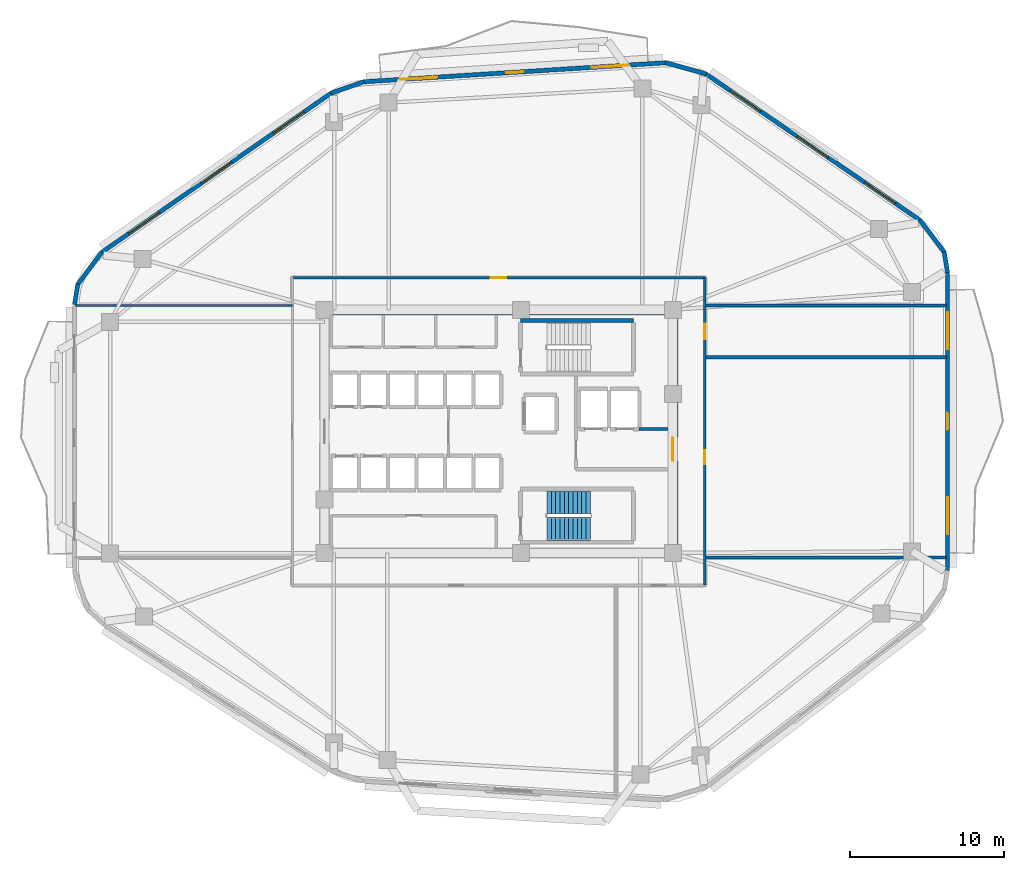
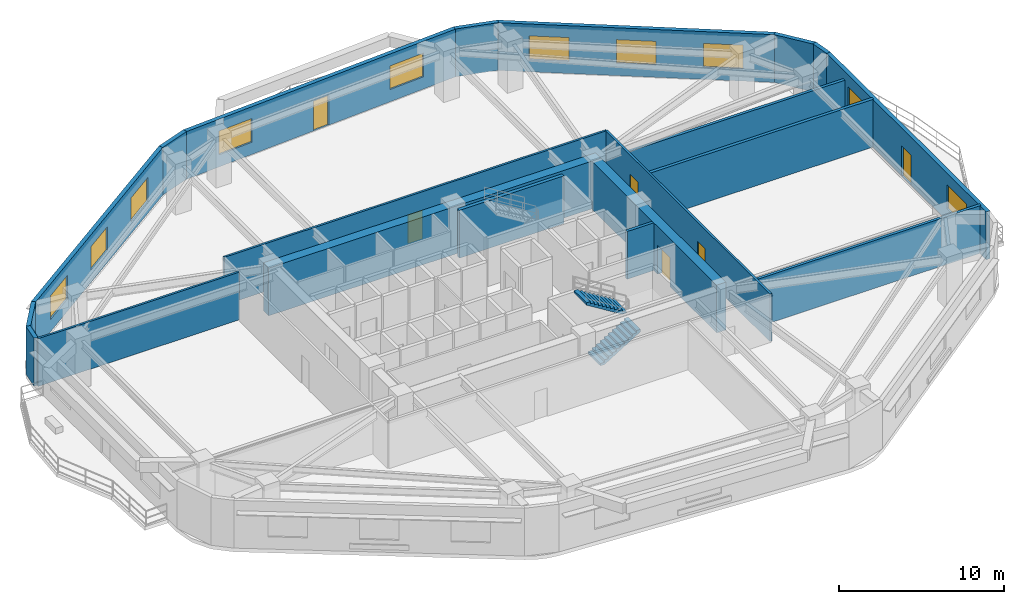
# One storey, part 5 of 9: 20 walls, 10 windows, 6 doors, 2 stair flights, 16 openings, 1 element without a shape of its own.
"""IFC4 building model written with IfcOpenShell, lengths in metres."""

from ifc_helpers import new_model, si_unit, direction, frame, frame_2d, origin, place, context, subcontext, project, spatial, polyline, rectangle, outline, extrude, material, layer, layer_set, type_object, element, fill, aggregate, save


model = new_model("IFC4")

# Units and contexts
model_context = context("Model", 3, precision=1e-05, world=origin(), true_north=direction((0.0, 1.0)))
body_context = subcontext(model_context, "Body", "Model", "MODEL_VIEW")
ifc_project = project(units=[si_unit("LENGTHUNIT", "METRE"), si_unit("AREAUNIT", "SQUARE_METRE"), si_unit("VOLUMEUNIT", "CUBIC_METRE"), si_unit("PLANEANGLEUNIT", "RADIAN"), si_unit("MASSUNIT", "GRAM", prefix="KILO")], contexts=[model_context])

# Site, building, storey
site_placement = place(None, origin())
site = spatial("IfcSite", under=ifc_project, at=site_placement, CompositionType="ELEMENT")
building_placement = place(site_placement, origin())
building = spatial("IfcBuilding", under=site, at=building_placement, Name="Zulverin Broadcast Headquarters", CompositionType="ELEMENT")
storey_placement = place(building_placement, frame((0.0, 0.0, 104.800048828125)))
storey = spatial("IfcBuildingStorey", under=building, at=storey_placement, Name="L26", CompositionType="ELEMENT", Elevation=104.800048828125)

# Walls
ifc_material_1 = material(Name="Acoustic drywall steel stud", Category="steel")
ifc_layer_1 = layer(ifc_material_1, 0.199951171875, Name="Acoustic drywall steel stud", Category="steel")
ifc_layer_set_1 = layer_set([ifc_layer_1], Name="Acoustic drywall steel stud")
wall_type_1 = type_object("IfcWallType", Name="WL-ACOU-200", PredefinedType="PARTITIONING", material=ifc_layer_set_1)
wall_1_placement = place(storey_placement, frame((50.35009765625, 17.050048828125, 0.0), z_axis=(0.0, 0.0, 1.0), x_axis=(1.0, 0.0, 0.0)))
element("IfcWall", 1, at=wall_1_placement, inside=storey, type_object=wall_type_1, Name="L26 Room Partition Wall RP-06", PredefinedType="PARTITIONING", context=body_context, shape_type="SweptSolid", body=[
    extrude(rectangle(XDim=15.64501953125, YDim=0.199951171875, at=frame_2d((7.822509765625, 0.0))), origin(), (0.0, 0.0, 1.0), 3.52490234375),
])
wall_2_placement = place(storey_placement, frame((50.35009765625, 33.35009765625, 0.0), z_axis=(0.0, 0.0, 1.0), x_axis=(1.0, 0.0, 0.0)))
element("IfcWall", 2, at=wall_2_placement, inside=storey, type_object=wall_type_1, Name="L26 Room Partition Wall RP-09", PredefinedType="PARTITIONING", context=body_context, shape_type="SweptSolid", body=[
    extrude(rectangle(XDim=15.64501953125, YDim=0.199951171875, at=frame_2d((7.822509765625, 0.0))), origin(), (0.0, 0.0, 1.0), 2.90771484375),
])
ifc_material_2 = material(Name="Double-stud acoustic drywall", Category="gypsum")
ifc_layer_2 = layer(ifc_material_2, 0.219970703125, Name="Double-stud acoustic drywall", Category="gypsum")
ifc_layer_set_2 = layer_set([ifc_layer_2], Name="Double-stud acoustic drywall")
wall_type_2 = type_object("IfcWallType", Name="WL-ACOU-220", PredefinedType="PARTITIONING", material=ifc_layer_set_2)
wall_3_placement = place(storey_placement, frame((50.35009765625, 30.0, 0.0), z_axis=(0.0, 0.0, 1.0), x_axis=(1.0, 0.0, 0.0)))
element("IfcWall", 3, at=wall_3_placement, inside=storey, type_object=wall_type_2, Name="L26 Room Partition Wall RP-07", PredefinedType="PARTITIONING", context=body_context, shape_type="SweptSolid", body=[
    extrude(rectangle(XDim=15.64501953125, YDim=0.219970703125, at=frame_2d((7.822509765625, 0.0))), origin(), (0.0, 0.0, 1.0), 3.52490234375),
])
ifc_material_3 = material(Name="Concrete C60/75", Category="concrete")
ifc_layer_3 = layer(ifc_material_3, 0.64990234375, Name="Concrete C60/75", Category="concrete")
ifc_layer_set_3 = layer_set([ifc_layer_3], Name="Concrete C60/75")
wall_type_3 = type_object("IfcWallType", Name="WL-CORE-650", PredefinedType="SHEAR", material=ifc_layer_set_3)
wall_4_placement = place(storey_placement, frame((25.39990234375, 33.074951171875, 0.0), z_axis=(0.0, 0.0, 1.0), x_axis=(1.0, 0.0, 0.0)))
element("IfcWall", 4, at=wall_4_placement, inside=storey, type_object=wall_type_3, Name="L26 Core North Shear Wall", PredefinedType="SHEAR", context=body_context, shape_type="SweptSolid", body=[
    extrude(rectangle(XDim=23.2001953125, YDim=0.64990234375, at=frame_2d((11.60009765625, 0.0))), origin(), (0.0, 0.0, 1.0), 3.52490234375),
])

# Wall, opening, door
wall_5_placement = place(storey_placement, frame((48.27490234375, 17.64990234375, 0.0), z_axis=(0.0, 0.0, 1.0), x_axis=(0.0, 1.0, 0.0)))
wall_5 = element("IfcWall", 5, at=wall_5_placement, inside=storey, type_object=wall_type_3, Name="L26 Core East Shear Wall", PredefinedType="SHEAR", context=body_context, shape_type="SweptSolid", body=[
    extrude(rectangle(XDim=15.10009765625, YDim=0.64990234375, at=frame_2d((7.550048828125, 0.0))), origin(), (0.0, 0.0, 1.0), 3.52490234375),
])
opening_1_placement = place(wall_5_placement, frame((5.64990234375, 0.0, 0.0)))
opening_1 = element("IfcOpeningElement", 6, at=opening_1_placement, cuts=wall_5, Name="Opening D-L26-CE1", PredefinedType="OPENING", context=body_context, shape_type="SweptSolid", body=[
    extrude(rectangle(XDim=1.5, YDim=2.14990234375, at=frame_2d((0.75, 1.074951171875))), frame((0.0, 0.3349609375, 0.0), z_axis=(0.0, -1.0, 0.0), x_axis=(1.0, 0.0, 0.0)), (0.0, 0.0, 1.0), 0.669921875),
])
ifc_material_4 = material(Name="Fire-rated glazed steel frame", Category="steel")
door_type_1 = type_object("IfcDoorType", Name="DR-COR-1500", OperationType="DOUBLE_DOOR_SINGLE_SWING", PredefinedType="DOOR", material=ifc_material_4)
door_1_placement = place(opening_1_placement, origin())
door_1 = element("IfcDoor", 7, at=door_1_placement, inside=storey, type_object=door_type_1, Name="L26 Firefighting Lobby East Corridor Door", OperationType="DOUBLE_DOOR_SINGLE_SWING", OverallHeight=2.14990234375, OverallWidth=1.5, PredefinedType="DOOR", context=body_context, shape_type="SweptSolid", body=[
    extrude(rectangle(XDim=1.5, YDim=2.14990234375, at=frame_2d((0.75, 1.074951171875))), frame((0.0, 0.02490234375, 0.0), z_axis=(0.0, -1.0, 0.0), x_axis=(1.0, 0.0, 0.0)), (0.0, 0.0, 1.0), 0.050048828125),
])
fill(opening_1, door_1)

# Wall, openings, door, windows
ifc_material_5 = material(Name="Insulated pale-metal clad concrete spandrel C40/50", Category="concrete")
ifc_layer_4 = layer(ifc_material_5, 0.280029296875, Name="Insulated pale-metal clad concrete spandrel C40/50", Category="concrete")
ifc_layer_set_4 = layer_set([ifc_layer_4], Name="Insulated pale-metal clad concrete spandrel C40/50")
wall_type_4 = type_object("IfcWallType", Name="WL-EXT-280", PredefinedType="STANDARD", material=ifc_layer_set_4)
wall_6_placement = place(storey_placement, frame((66.06005859375, 16.183349609375, 0.0), z_axis=(0.0, 0.0, 1.0), x_axis=(0.0, 1.0, 0.0)))
wall_6 = element("IfcWall", 8, at=wall_6_placement, inside=storey, type_object=wall_type_4, Name="L26 Pale-Metal Clad Spandrel Wall 3", PredefinedType="STANDARD", context=body_context, shape_type="SweptSolid", body=[
    extrude(rectangle(XDim=19.3310546875, YDim=0.280029296875, at=frame_2d((9.66552734375, 0.0))), origin(), (0.0, 0.0, 1.0), 3.52490234375),
])
opening_2_placement = place(wall_6_placement, frame((9.115478515625, 0.0, 0.0)))
opening_2 = element("IfcOpeningElement", 9, at=opening_2_placement, cuts=wall_6, Name="Opening D-L26-TR3", PredefinedType="OPENING", context=body_context, shape_type="SweptSolid", body=[
    extrude(rectangle(XDim=1.10009765625, YDim=2.199951171875, at=frame_2d((0.550048828125, 1.10009765625))), frame((0.0, 0.14990234375, 0.0), z_axis=(0.0, -1.0, 0.0), x_axis=(1.0, 0.0, 0.0)), (0.0, 0.0, 1.0), 0.300048828125),
])
opening_3_placement = place(wall_6_placement, frame((2.355224609375, 0.0, 0.89990234375)))
opening_3 = element("IfcOpeningElement", 10, at=opening_3_placement, cuts=wall_6, Name="Opening W-L26-E31", PredefinedType="OPENING", context=body_context, shape_type="SweptSolid", body=[
    extrude(rectangle(XDim=2.39990234375, YDim=1.75, at=frame_2d((1.199951171875, 0.875))), frame((0.0, 0.14990234375, 0.0), z_axis=(0.0, -1.0, 0.0), x_axis=(1.0, 0.0, 0.0)), (0.0, 0.0, 1.0), 0.300048828125),
])
opening_4_placement = place(wall_6_placement, frame((14.325927734375, 0.0, 0.89990234375)))
opening_4 = element("IfcOpeningElement", 11, at=opening_4_placement, cuts=wall_6, Name="Opening W-L26-E32", PredefinedType="OPENING", context=body_context, shape_type="SweptSolid", body=[
    extrude(rectangle(XDim=2.39990234375, YDim=1.75, at=frame_2d((1.199951171875, 0.875))), frame((0.0, 0.14990234375, 0.0), z_axis=(0.0, -1.0, 0.0), x_axis=(1.0, 0.0, 0.0)), (0.0, 0.0, 1.0), 0.300048828125),
])
ifc_material_6 = material(Name="Thermally broken aluminium glazed", Category="aluminium")
door_type_2 = type_object("IfcDoorType", Name="DR-TERR-1100", OperationType="SINGLE_SWING_RIGHT", PredefinedType="DOOR", material=ifc_material_6)
door_2_placement = place(opening_2_placement, origin())
door_2 = element("IfcDoor", 12, at=door_2_placement, inside=storey, type_object=door_type_2, Name="L26 Planted Terrace Glazed Access Door 3", OperationType="SINGLE_SWING_RIGHT", OverallHeight=2.199951171875, OverallWidth=1.10009765625, PredefinedType="DOOR", context=body_context, shape_type="SweptSolid", body=[
    extrude(rectangle(XDim=1.10009765625, YDim=2.199951171875, at=frame_2d((0.550048828125, 1.10009765625))), frame((0.0, 0.02490234375, 0.0), z_axis=(0.0, -1.0, 0.0), x_axis=(1.0, 0.0, 0.0)), (0.0, 0.0, 1.0), 0.050048828125),
])
fill(opening_2, door_2)
ifc_material_7 = material(Name="Pale anodized aluminium frame with solar-control low-E double glazing", Category="aluminium")
window_type = type_object("IfcWindowType", Name="WIN-RIB-2400", PartitioningType="SINGLE_PANEL", PredefinedType="WINDOW", material=ifc_material_7)
window_1_placement = place(opening_3_placement, origin())
window_1 = element("IfcWindow", 13, at=window_1_placement, inside=storey, type_object=window_type, Name="L26 Ribbon Glazing Window 3 1", OverallHeight=1.75, OverallWidth=2.39990234375, PartitioningType="SINGLE_PANEL", PredefinedType="WINDOW", context=body_context, shape_type="SweptSolid", body=[
    extrude(rectangle(XDim=2.39990234375, YDim=1.75, at=frame_2d((1.199951171875, 0.875))), frame((0.0, 0.030029296875, 0.0), z_axis=(0.0, -1.0, 0.0), x_axis=(1.0, 0.0, 0.0)), (0.0, 0.0, 1.0), 0.06005859375),
])
fill(opening_3, window_1)
window_2_placement = place(opening_4_placement, origin())
window_2 = element("IfcWindow", 14, at=window_2_placement, inside=storey, type_object=window_type, Name="L26 Ribbon Glazing Window 3 2", OverallHeight=1.75, OverallWidth=2.39990234375, PartitioningType="SINGLE_PANEL", PredefinedType="WINDOW", context=body_context, shape_type="SweptSolid", body=[
    extrude(rectangle(XDim=2.39990234375, YDim=1.75, at=frame_2d((1.199951171875, 0.875))), frame((0.0, 0.030029296875, 0.0), z_axis=(0.0, -1.0, 0.0), x_axis=(1.0, 0.0, 0.0)), (0.0, 0.0, 1.0), 0.06005859375),
])
fill(opening_4, window_2)

# Wall, openings, windows
wall_7_placement = place(storey_placement, frame((64.289794921875, 38.8671875, 0.0), z_axis=(0.0, 0.0, 1.0), x_axis=(-0.825755550159, 0.564028165416, 0.0)))
wall_7 = element("IfcWall", 15, at=wall_7_placement, inside=storey, type_object=wall_type_4, Name="L26 Pale-Metal Clad Spandrel Wall 4", PredefinedType="STANDARD", context=body_context, shape_type="SweptSolid", body=[
    extrude(rectangle(XDim=16.848388671875, YDim=0.280029296875, at=frame_2d((8.42431640625, 0.0))), origin(), (0.0, 0.0, 1.0), 3.52490234375),
])
opening_5_placement = place(wall_7_placement, frame((1.94140625, 0.0, 0.89990234375)))
opening_5 = element("IfcOpeningElement", 16, at=opening_5_placement, cuts=wall_7, Name="Opening W-L26-E41", PredefinedType="OPENING", context=body_context, shape_type="SweptSolid", body=[
    extrude(rectangle(XDim=2.39990234375, YDim=1.75, at=frame_2d((1.199951171875, 0.875))), frame((0.0, 0.14990234375, 0.0), z_axis=(0.0, -1.0, 0.0), x_axis=(1.0, 0.0, 0.0)), (0.0, 0.0, 1.0), 0.300048828125),
])
opening_6_placement = place(wall_7_placement, frame((7.22412109375, 0.0, 0.89990234375)))
opening_6 = element("IfcOpeningElement", 17, at=opening_6_placement, cuts=wall_7, Name="Opening W-L26-E42", PredefinedType="OPENING", context=body_context, shape_type="SweptSolid", body=[
    extrude(rectangle(XDim=2.39990234375, YDim=1.75, at=frame_2d((1.199951171875, 0.875))), frame((0.0, 0.14990234375, 0.0), z_axis=(0.0, -1.0, 0.0), x_axis=(1.0, 0.0, 0.0)), (0.0, 0.0, 1.0), 0.300048828125),
])
opening_7_placement = place(wall_7_placement, frame((12.5068359375, 0.0, 0.89990234375)))
opening_7 = element("IfcOpeningElement", 18, at=opening_7_placement, cuts=wall_7, Name="Opening W-L26-E43", PredefinedType="OPENING", context=body_context, shape_type="SweptSolid", body=[
    extrude(rectangle(XDim=2.39990234375, YDim=1.75, at=frame_2d((1.199951171875, 0.875))), frame((0.0, 0.14990234375, 0.0), z_axis=(0.0, -1.0, 0.0), x_axis=(1.0, 0.0, 0.0)), (0.0, 0.0, 1.0), 0.300048828125),
])
window_3_placement = place(opening_5_placement, origin())
window_3 = element("IfcWindow", 19, at=window_3_placement, inside=storey, type_object=window_type, Name="L26 Ribbon Glazing Window 4 1", OverallHeight=1.75, OverallWidth=2.39990234375, PartitioningType="SINGLE_PANEL", PredefinedType="WINDOW", context=body_context, shape_type="SweptSolid", body=[
    extrude(rectangle(XDim=2.39990234375, YDim=1.75, at=frame_2d((1.199951171875, 0.875))), frame((0.0, 0.030029296875, 0.0), z_axis=(0.0, -1.0, 0.0), x_axis=(1.0, 0.0, 0.0)), (0.0, 0.0, 1.0), 0.06005859375),
])
fill(opening_5, window_3)
window_4_placement = place(opening_6_placement, origin())
window_4 = element("IfcWindow", 20, at=window_4_placement, inside=storey, type_object=window_type, Name="L26 Ribbon Glazing Window 4 2", OverallHeight=1.75, OverallWidth=2.39990234375, PartitioningType="SINGLE_PANEL", PredefinedType="WINDOW", context=body_context, shape_type="SweptSolid", body=[
    extrude(rectangle(XDim=2.39990234375, YDim=1.75, at=frame_2d((1.199951171875, 0.875))), frame((0.0, 0.030029296875, 0.0), z_axis=(0.0, -1.0, 0.0), x_axis=(1.0, 0.0, 0.0)), (0.0, 0.0, 1.0), 0.06005859375),
])
fill(opening_6, window_4)
window_5_placement = place(opening_7_placement, origin())
window_5 = element("IfcWindow", 21, at=window_5_placement, inside=storey, type_object=window_type, Name="L26 Ribbon Glazing Window 4 3", OverallHeight=1.75, OverallWidth=2.39990234375, PartitioningType="SINGLE_PANEL", PredefinedType="WINDOW", context=body_context, shape_type="SweptSolid", body=[
    extrude(rectangle(XDim=2.39990234375, YDim=1.75, at=frame_2d((1.199951171875, 0.875))), frame((0.0, 0.030029296875, 0.0), z_axis=(0.0, -1.0, 0.0), x_axis=(1.0, 0.0, 0.0)), (0.0, 0.0, 1.0), 0.06005859375),
])
fill(opening_7, window_5)

# Wall, openings, door, windows
wall_8_placement = place(storey_placement, frame((47.831787109375, 49.0693359375, 0.0), z_axis=(0.0, 0.0, 1.0), x_axis=(-0.998017725054, -0.062933460723, 0.0)))
wall_8 = element("IfcWall", 22, at=wall_8_placement, inside=storey, type_object=wall_type_4, Name="L26 Pale-Metal Clad Spandrel Wall 5", PredefinedType="STANDARD", context=body_context, shape_type="SweptSolid", body=[
    extrude(rectangle(XDim=19.62939453125, YDim=0.280029296875, at=frame_2d((9.814697265625, 0.0))), origin(), (0.0, 0.0, 1.0), 3.52490234375),
])
opening_8_placement = place(wall_8_placement, frame((9.264892578125, 0.0, 0.0)))
opening_8 = element("IfcOpeningElement", 23, at=opening_8_placement, cuts=wall_8, Name="Opening D-L26-TR5", PredefinedType="OPENING", context=body_context, shape_type="SweptSolid", body=[
    extrude(rectangle(XDim=1.10009765625, YDim=2.199951171875, at=frame_2d((0.550048828125, 1.10009765625))), frame((0.0, 0.14990234375, 0.0), z_axis=(0.0, -1.0, 0.0), x_axis=(1.0, 0.0, 0.0)), (0.0, 0.0, 1.0), 0.300048828125),
])
opening_9_placement = place(wall_8_placement, frame((2.40478515625, 0.0, 0.89990234375)))
opening_9 = element("IfcOpeningElement", 24, at=opening_9_placement, cuts=wall_8, Name="Opening W-L26-E51", PredefinedType="OPENING", context=body_context, shape_type="SweptSolid", body=[
    extrude(rectangle(XDim=2.39990234375, YDim=1.75, at=frame_2d((1.199951171875, 0.875))), frame((0.0, 0.14990234375, 0.0), z_axis=(0.0, -1.0, 0.0), x_axis=(1.0, 0.0, 0.0)), (0.0, 0.0, 1.0), 0.300048828125),
])
opening_10_placement = place(wall_8_placement, frame((14.82470703125, 0.0, 0.89990234375)))
opening_10 = element("IfcOpeningElement", 25, at=opening_10_placement, cuts=wall_8, Name="Opening W-L26-E52", PredefinedType="OPENING", context=body_context, shape_type="SweptSolid", body=[
    extrude(rectangle(XDim=2.39990234375, YDim=1.75, at=frame_2d((1.199951171875, 0.875))), frame((0.0, 0.14990234375, 0.0), z_axis=(0.0, -1.0, 0.0), x_axis=(1.0, 0.0, 0.0)), (0.0, 0.0, 1.0), 0.300048828125),
])
door_3_placement = place(opening_8_placement, origin())
door_3 = element("IfcDoor", 26, at=door_3_placement, inside=storey, type_object=door_type_2, Name="L26 Planted Terrace Glazed Access Door 5", OperationType="SINGLE_SWING_RIGHT", OverallHeight=2.199951171875, OverallWidth=1.10009765625, PredefinedType="DOOR", context=body_context, shape_type="SweptSolid", body=[
    extrude(rectangle(XDim=1.10009765625, YDim=2.199951171875, at=frame_2d((0.550048828125, 1.10009765625))), frame((0.0, 0.02490234375, 0.0), z_axis=(0.0, -1.0, 0.0), x_axis=(1.0, 0.0, 0.0)), (0.0, 0.0, 1.0), 0.050048828125),
])
fill(opening_8, door_3)
window_6_placement = place(opening_9_placement, origin())
window_6 = element("IfcWindow", 27, at=window_6_placement, inside=storey, type_object=window_type, Name="L26 Ribbon Glazing Window 5 1", OverallHeight=1.75, OverallWidth=2.39990234375, PartitioningType="SINGLE_PANEL", PredefinedType="WINDOW", context=body_context, shape_type="SweptSolid", body=[
    extrude(rectangle(XDim=2.39990234375, YDim=1.75, at=frame_2d((1.199951171875, 0.875))), frame((0.0, 0.030029296875, 0.0), z_axis=(0.0, -1.0, 0.0), x_axis=(1.0, 0.0, 0.0)), (0.0, 0.0, 1.0), 0.06005859375),
])
fill(opening_9, window_6)
window_7_placement = place(opening_10_placement, origin())
window_7 = element("IfcWindow", 28, at=window_7_placement, inside=storey, type_object=window_type, Name="L26 Ribbon Glazing Window 5 2", OverallHeight=1.75, OverallWidth=2.39990234375, PartitioningType="SINGLE_PANEL", PredefinedType="WINDOW", context=body_context, shape_type="SweptSolid", body=[
    extrude(rectangle(XDim=2.39990234375, YDim=1.75, at=frame_2d((1.199951171875, 0.875))), frame((0.0, 0.030029296875, 0.0), z_axis=(0.0, -1.0, 0.0), x_axis=(1.0, 0.0, 0.0)), (0.0, 0.0, 1.0), 0.06005859375),
])
fill(opening_10, window_7)

# Wall, openings, windows
wall_9_placement = place(storey_placement, frame((26.181884765625, 47.11767578125, 0.0), z_axis=(0.0, 0.0, 1.0), x_axis=(-0.821547956627, -0.570139417127, 0.0)))
wall_9 = element("IfcWall", 29, at=wall_9_placement, inside=storey, type_object=wall_type_4, Name="L26 Pale-Metal Clad Spandrel Wall 6", PredefinedType="STANDARD", context=body_context, shape_type="SweptSolid", body=[
    extrude(rectangle(XDim=18.13232421875, YDim=0.280029296875, at=frame_2d((9.066162109375, 0.0))), origin(), (0.0, 0.0, 1.0), 3.52490234375),
])
opening_11_placement = place(wall_9_placement, frame((2.155517578125, 0.0, 0.89990234375)))
opening_11 = element("IfcOpeningElement", 30, at=opening_11_placement, cuts=wall_9, Name="Opening W-L26-E61", PredefinedType="OPENING", context=body_context, shape_type="SweptSolid", body=[
    extrude(rectangle(XDim=2.39990234375, YDim=1.75, at=frame_2d((1.199951171875, 0.875))), frame((0.0, 0.14990234375, 0.0), z_axis=(0.0, -1.0, 0.0), x_axis=(1.0, 0.0, 0.0)), (0.0, 0.0, 1.0), 0.300048828125),
])
opening_12_placement = place(wall_9_placement, frame((7.8662109375, 0.0, 0.89990234375)))
opening_12 = element("IfcOpeningElement", 31, at=opening_12_placement, cuts=wall_9, Name="Opening W-L26-E62", PredefinedType="OPENING", context=body_context, shape_type="SweptSolid", body=[
    extrude(rectangle(XDim=2.39990234375, YDim=1.75, at=frame_2d((1.199951171875, 0.875))), frame((0.0, 0.14990234375, 0.0), z_axis=(0.0, -1.0, 0.0), x_axis=(1.0, 0.0, 0.0)), (0.0, 0.0, 1.0), 0.300048828125),
])
opening_13_placement = place(wall_9_placement, frame((13.576904296875, 0.0, 0.89990234375)))
opening_13 = element("IfcOpeningElement", 32, at=opening_13_placement, cuts=wall_9, Name="Opening W-L26-E63", PredefinedType="OPENING", context=body_context, shape_type="SweptSolid", body=[
    extrude(rectangle(XDim=2.39990234375, YDim=1.75, at=frame_2d((1.199951171875, 0.875))), frame((0.0, 0.14990234375, 0.0), z_axis=(0.0, -1.0, 0.0), x_axis=(1.0, 0.0, 0.0)), (0.0, 0.0, 1.0), 0.300048828125),
])
window_8_placement = place(opening_11_placement, origin())
window_8 = element("IfcWindow", 33, at=window_8_placement, inside=storey, type_object=window_type, Name="L26 Ribbon Glazing Window 6 1", OverallHeight=1.75, OverallWidth=2.39990234375, PartitioningType="SINGLE_PANEL", PredefinedType="WINDOW", context=body_context, shape_type="SweptSolid", body=[
    extrude(rectangle(XDim=2.39990234375, YDim=1.75, at=frame_2d((1.199951171875, 0.875))), frame((0.0, 0.030029296875, 0.0), z_axis=(0.0, -1.0, 0.0), x_axis=(1.0, 0.0, 0.0)), (0.0, 0.0, 1.0), 0.06005859375),
])
fill(opening_11, window_8)
window_9_placement = place(opening_12_placement, origin())
window_9 = element("IfcWindow", 34, at=window_9_placement, inside=storey, type_object=window_type, Name="L26 Ribbon Glazing Window 6 2", OverallHeight=1.75, OverallWidth=2.39990234375, PartitioningType="SINGLE_PANEL", PredefinedType="WINDOW", context=body_context, shape_type="SweptSolid", body=[
    extrude(rectangle(XDim=2.39990234375, YDim=1.75, at=frame_2d((1.199951171875, 0.875))), frame((0.0, 0.030029296875, 0.0), z_axis=(0.0, -1.0, 0.0), x_axis=(1.0, 0.0, 0.0)), (0.0, 0.0, 1.0), 0.06005859375),
])
fill(opening_12, window_9)
window_10_placement = place(opening_13_placement, origin())
window_10 = element("IfcWindow", 35, at=window_10_placement, inside=storey, type_object=window_type, Name="L26 Ribbon Glazing Window 6 3", OverallHeight=1.75, OverallWidth=2.39990234375, PartitioningType="SINGLE_PANEL", PredefinedType="WINDOW", context=body_context, shape_type="SweptSolid", body=[
    extrude(rectangle(XDim=2.39990234375, YDim=1.75, at=frame_2d((1.199951171875, 0.875))), frame((0.0, 0.030029296875, 0.0), z_axis=(0.0, -1.0, 0.0), x_axis=(1.0, 0.0, 0.0)), (0.0, 0.0, 1.0), 0.06005859375),
])
fill(opening_13, window_10)

# Walls
wall_10_placement = place(storey_placement, frame((66.061767578125, 35.491943359375, 0.0), z_axis=(0.0, 0.0, 1.0), x_axis=(-0.161182073582, 0.986924687682, 0.0)))
element("IfcWall", 36, at=wall_10_placement, inside=storey, type_object=wall_type_4, Name="L26 Wind-Shaped Corner Spandrel Wall 3-1", PredefinedType="STANDARD", context=body_context, shape_type="SweptSolid", body=[
    extrude(rectangle(XDim=1.354248046875, YDim=0.280029296875, at=frame_2d((0.67724609375, 0.0))), origin(), (0.0, 0.0, 1.0), 3.52490234375),
])
wall_11_placement = place(storey_placement, frame((65.8701171875, 36.7666015625, 0.0), z_axis=(0.0, 0.0, 1.0), x_axis=(-0.603370463754, 0.797461023166, 0.0)))
element("IfcWall", 37, at=wall_11_placement, inside=storey, type_object=wall_type_4, Name="L26 Wind-Shaped Corner Spandrel Wall 3-2", PredefinedType="STANDARD", context=body_context, shape_type="SweptSolid", body=[
    extrude(rectangle(XDim=2.6728515625, YDim=0.280029296875, at=frame_2d((1.33642578125, 0.0))), origin(), (0.0, 0.0, 1.0), 3.52490234375),
])
wall_12_placement = place(storey_placement, frame((50.419189453125, 48.3505859375, 0.0), z_axis=(0.0, 0.0, 1.0), x_axis=(-0.964254516967, 0.264977784933, 0.0)))
element("IfcWall", 38, at=wall_12_placement, inside=storey, type_object=wall_type_4, Name="L26 Wind-Shaped Corner Spandrel Wall 4-1", PredefinedType="STANDARD", context=body_context, shape_type="SweptSolid", body=[
    extrude(rectangle(XDim=2.73095703125, YDim=0.280029296875, at=frame_2d((1.365478515625, 0.0))), origin(), (0.0, 0.0, 1.0), 3.52490234375),
])
wall_13_placement = place(storey_placement, frame((28.2783203125, 47.841552734375, 0.0), z_axis=(0.0, 0.0, 1.0), x_axis=(-0.9444559001, -0.328638179106, 0.0)))
element("IfcWall", 39, at=wall_13_placement, inside=storey, type_object=wall_type_4, Name="L26 Wind-Shaped Corner Spandrel Wall 5-1", PredefinedType="STANDARD", context=body_context, shape_type="SweptSolid", body=[
    extrude(rectangle(XDim=2.25537109375, YDim=0.280029296875, at=frame_2d((1.127685546875, 0.0))), origin(), (0.0, 0.0, 1.0), 3.52490234375),
])
wall_14_placement = place(storey_placement, frame((11.317626953125, 36.81103515625, 0.0), z_axis=(0.0, 0.0, 1.0), x_axis=(-0.599455152629, -0.800408345775, 0.0)))
element("IfcWall", 40, at=wall_14_placement, inside=storey, type_object=wall_type_4, Name="L26 Wind-Shaped Corner Spandrel Wall 6-1", PredefinedType="STANDARD", context=body_context, shape_type="SweptSolid", body=[
    extrude(rectangle(XDim=2.6533203125, YDim=0.280029296875, at=frame_2d((1.32666015625, 0.0))), origin(), (0.0, 0.0, 1.0), 3.52490234375),
])
wall_15_placement = place(storey_placement, frame((9.753173828125, 34.748779296875, 0.0), z_axis=(0.0, 0.0, 1.0), x_axis=(-0.160037671962, -0.987110907423, 0.0)))
element("IfcWall", 41, at=wall_15_placement, inside=storey, type_object=wall_type_4, Name="L26 Wind-Shaped Corner Spandrel Wall 6-2", PredefinedType="STANDARD", context=body_context, shape_type="SweptSolid", body=[
    extrude(rectangle(XDim=1.343994140625, YDim=0.280029296875, at=frame_2d((0.671875, 0.0))), origin(), (0.0, 0.0, 1.0), 3.52490234375),
])
ifc_material_8 = material(Name="Concrete C40/50", Category="concrete")
ifc_layer_5 = layer(ifc_material_8, 0.199951171875, Name="Concrete C40/50", Category="concrete")
ifc_layer_set_5 = layer_set([ifc_layer_5], Name="Concrete C40/50")
wall_type_5 = type_object("IfcWallType", Name="WL-FFL-200", PredefinedType="SOLIDWALL", material=ifc_layer_set_5)
wall_16_placement = place(storey_placement, frame((46.10009765625, 25.35009765625, 0.0), z_axis=(0.0, 0.0, 1.0), x_axis=(1.0, 0.0, 0.0)))
element("IfcWall", 42, at=wall_16_placement, inside=storey, type_object=wall_type_5, Name="L26 Firefighting Lift Lobby North Wall", PredefinedType="SOLIDWALL", context=body_context, shape_type="SweptSolid", body=[
    extrude(rectangle(XDim=1.849853515625, YDim=0.199951171875, at=frame_2d((0.9248046875, 0.0))), origin(), (0.0, 0.0, 1.0), 3.52490234375),
])

# Wall, openings, doors
ifc_material_9 = material(Name="Fire-rated gypsum stud partition", Category="gypsum")
ifc_layer_6 = layer(ifc_material_9, 0.14990234375, Name="Fire-rated gypsum stud partition", Category="gypsum")
ifc_layer_set_6 = layer_set([ifc_layer_6], Name="Fire-rated gypsum stud partition")
wall_type_6 = type_object("IfcWallType", Name="WL-PART-150", PredefinedType="PARTITIONING", material=ifc_layer_set_6)
wall_17_placement = place(storey_placement, frame((50.35009765625, 15.25, 0.0), z_axis=(0.0, 0.0, 1.0), x_axis=(0.0, 1.0, 0.0)))
wall_17 = element("IfcWall", 43, at=wall_17_placement, inside=storey, type_object=wall_type_6, Name="L26 Gallery Partition Wall CG-01", PredefinedType="PARTITIONING", context=body_context, shape_type="SweptSolid", body=[
    extrude(rectangle(XDim=19.89990234375, YDim=0.14990234375, at=frame_2d((9.949951171875, 0.0))), origin(), (0.0, 0.0, 1.0), 3.52490234375),
])
opening_14_placement = place(wall_17_placement, frame((7.824951171875, 0.0, 0.0)))
opening_14 = element("IfcOpeningElement", 44, at=opening_14_placement, cuts=wall_17, Name="Opening D-L26-05", PredefinedType="OPENING", context=body_context, shape_type="SweptSolid", body=[
    extrude(rectangle(XDim=0.89990234375, YDim=2.10009765625, at=frame_2d((0.449951171875, 1.050048828125))), frame((0.0, 0.0849609375, 0.0), z_axis=(0.0, -1.0, 0.0), x_axis=(1.0, 0.0, 0.0)), (0.0, 0.0, 1.0), 0.169921875),
])
opening_15_placement = place(wall_17_placement, frame((15.925048828125, 0.0, 0.0)))
opening_15 = element("IfcOpeningElement", 45, at=opening_15_placement, cuts=wall_17, Name="Opening D-L26-06", PredefinedType="OPENING", context=body_context, shape_type="SweptSolid", body=[
    extrude(rectangle(XDim=1.0, YDim=2.1201171875, at=frame_2d((0.5, 1.06005859375))), frame((0.0, 0.0849609375, 0.0), z_axis=(0.0, -1.0, 0.0), x_axis=(1.0, 0.0, 0.0)), (0.0, 0.0, 1.0), 0.169921875),
])
ifc_material_10 = material(Name="Hardwood veneer acoustic leaf", Category="wood")
door_type_3 = type_object("IfcDoorType", Name="DR-OFF-1000", OperationType="SINGLE_SWING_LEFT", PredefinedType="DOOR", material=ifc_material_10)
door_4_placement = place(opening_15_placement, origin())
door_4 = element("IfcDoor", 46, at=door_4_placement, inside=storey, type_object=door_type_3, Name="L26 Broadcast Production Office Door", OperationType="SINGLE_SWING_LEFT", OverallHeight=2.1201171875, OverallWidth=1.0, PredefinedType="DOOR", context=body_context, shape_type="SweptSolid", body=[
    extrude(rectangle(XDim=1.0, YDim=2.1201171875, at=frame_2d((0.5, 1.06005859375))), frame((0.0, 0.02490234375, 0.0), z_axis=(0.0, -1.0, 0.0), x_axis=(1.0, 0.0, 0.0)), (0.0, 0.0, 1.0), 0.050048828125),
])
fill(opening_15, door_4)
ifc_material_11 = material(Name="Fire-rated hardwood veneer timber leaf", Category="wood")
door_type_4 = type_object("IfcDoorType", Name="DR-ROOM-900", OperationType="SINGLE_SWING_RIGHT", PredefinedType="DOOR", material=ifc_material_11)
door_5_placement = place(opening_14_placement, origin())
door_5 = element("IfcDoor", 47, at=door_5_placement, inside=storey, type_object=door_type_4, Name="L26 Floor Reception Foyer Door", OperationType="SINGLE_SWING_RIGHT", OverallHeight=2.10009765625, OverallWidth=0.89990234375, PredefinedType="DOOR", context=body_context, shape_type="SweptSolid", body=[
    extrude(rectangle(XDim=0.89990234375, YDim=2.10009765625, at=frame_2d((0.449951171875, 1.050048828125))), frame((0.0, 0.02490234375, 0.0), z_axis=(0.0, -1.0, 0.0), x_axis=(1.0, 0.0, 0.0)), (0.0, 0.0, 1.0), 0.050048828125),
])
fill(opening_14, door_5)

# Wall
wall_18_placement = place(storey_placement, frame((9.60498046875, 33.35009765625, 0.0), z_axis=(0.0, 0.0, 1.0), x_axis=(1.0, 0.0, 0.0)))
element("IfcWall", 48, at=wall_18_placement, inside=storey, type_object=wall_type_6, Name="L26 Room Partition Wall RP-08", PredefinedType="PARTITIONING", context=body_context, shape_type="SweptSolid", body=[
    extrude(rectangle(XDim=14.044921875, YDim=0.14990234375, at=frame_2d((7.0224609375, 0.0))), origin(), (0.0, 0.0, 1.0), 3.52490234375),
])

# Wall, opening, door
wall_19_placement = place(storey_placement, frame((23.64990234375, 35.14990234375, 0.0), z_axis=(0.0, 0.0, 1.0), x_axis=(1.0, 0.0, 0.0)))
wall_19 = element("IfcWall", 49, at=wall_19_placement, inside=storey, type_object=wall_type_6, Name="L26 Gallery Partition Wall CG-10", PredefinedType="PARTITIONING", context=body_context, shape_type="SweptSolid", body=[
    extrude(rectangle(XDim=26.7001953125, YDim=0.14990234375, at=frame_2d((13.35009765625, 0.0))), origin(), (0.0, 0.0, 1.0), 3.52490234375),
])
opening_16_placement = place(wall_19_placement, frame((12.85009765625, 0.0, 0.0)))
opening_16 = element("IfcOpeningElement", 50, at=opening_16_placement, cuts=wall_19, Name="Opening D-L26-01", PredefinedType="OPENING", context=body_context, shape_type="SweptSolid", body=[
    extrude(rectangle(XDim=1.0, YDim=2.1201171875, at=frame_2d((0.5, 1.06005859375))), frame((0.0, 0.0849609375, 0.0), z_axis=(0.0, -1.0, 0.0), x_axis=(1.0, 0.0, 0.0)), (0.0, 0.0, 1.0), 0.169921875),
])
door_6_placement = place(opening_16_placement, origin())
door_6 = element("IfcDoor", 51, at=door_6_placement, inside=storey, type_object=door_type_3, Name="L26 Broadcast Production Office Door", OperationType="SINGLE_SWING_RIGHT", OverallHeight=2.1201171875, OverallWidth=1.0, PredefinedType="DOOR", context=body_context, shape_type="SweptSolid", body=[
    extrude(rectangle(XDim=1.0, YDim=2.1201171875, at=frame_2d((0.5, 1.06005859375))), frame((0.0, 0.02490234375, 0.0), z_axis=(0.0, -1.0, 0.0), x_axis=(1.0, 0.0, 0.0)), (0.0, 0.0, 1.0), 0.050048828125),
])
fill(opening_16, door_6)

# Wall
ifc_material_12 = material(Name="Concrete C50/60", Category="concrete")
ifc_layer_7 = layer(ifc_material_12, 0.25, Name="Concrete C50/60", Category="concrete")
ifc_layer_set_7 = layer_set([ifc_layer_7], Name="Concrete C50/60")
wall_type_7 = type_object("IfcWallType", Name="WL-SHAFT-250", PredefinedType="SHEAR", material=ifc_layer_set_7)
wall_20_placement = place(storey_placement, frame((38.425048828125, 32.375, 0.0), z_axis=(0.0, 0.0, 1.0), x_axis=(1.0, 0.0, 0.0)))
element("IfcWall", 52, at=wall_20_placement, inside=storey, type_object=wall_type_7, Name="L26 ST-1 Enclosure Wall N", PredefinedType="SHEAR", context=body_context, shape_type="SweptSolid", body=[
    extrude(rectangle(XDim=7.300048828125, YDim=0.25, at=frame_2d((3.64990234375, 0.0))), origin(), (0.0, 0.0, 1.0), 3.52490234375),
])

# Stair, stair flights
stair_type = type_object("IfcStairType", Name="ST-CORE-1500", PredefinedType="HALF_TURN_STAIR", material=ifc_material_8)
stair_placement = place(storey_placement, origin())
stair = element("IfcStair", 53, at=stair_placement, inside=storey, type_object=stair_type, Name="L26 Core Exit Stair ST-2", PredefinedType="HALF_TURN_STAIR")
stair_flight_type = type_object("IfcStairFlightType", Name="SF-CORE-1500", PredefinedType="STRAIGHT", material=ifc_material_8)
stair_flight_1_placement = place(storey_placement, frame((40.1298828125, 18.89990234375, 0.0), z_axis=(0.0, 0.0, 1.0), x_axis=(1.0, 0.0, 0.0)))
stair_flight_1 = element("IfcStairFlight", 54, at=stair_flight_1_placement, type_object=stair_flight_type, Name="ST-2 flight 1", NumberOfRisers=11, NumberOfTreads=10, PredefinedType="STRAIGHT", RiserHeight=0.172727273, TreadLength=0.28, context=body_context, shape_type="SweptSolid", body=[
    extrude(outline(polyline([(0.0, 0.0), (0.0, 0.172607421875), (0.280029296875, 0.172607421875), (0.280029296875, 0.345458984375), (0.56005859375, 0.345458984375), (0.56005859375, 0.51806640625), (0.840087890625, 0.51806640625), (0.840087890625, 0.69091796875), (1.1201171875, 0.69091796875), (1.1201171875, 0.863525390625), (1.39990234375, 0.863525390625), (1.39990234375, 1.036376953125), (1.679931640625, 1.036376953125), (1.679931640625, 1.208984375), (1.9599609375, 1.208984375), (1.9599609375, 1.3818359375), (2.239990234375, 1.3818359375), (2.239990234375, 1.554443359375), (2.52001953125, 1.554443359375), (2.52001953125, 1.727294921875), (2.800048828125, 1.727294921875), (2.800048828125, 1.89990234375), (2.800048828125, 1.551025390625), (0.285400390625, 0.0), (0.0, 0.0)])), frame((0.0, 0.75, 0.0), z_axis=(0.0, -1.0, 0.0), x_axis=(1.0, 0.0, 0.0)), (0.0, 0.0, 1.0), 1.5),
])
stair_flight_2_placement = place(storey_placement, frame((42.929931640625, 20.60009765625, 1.89990234375), z_axis=(0.0, 0.0, 1.0), x_axis=(-1.0, 0.0, 0.0)))
stair_flight_2 = element("IfcStairFlight", 55, at=stair_flight_2_placement, type_object=stair_flight_type, Name="ST-2 flight 2", NumberOfRisers=11, NumberOfTreads=10, PredefinedType="STRAIGHT", RiserHeight=0.172727273, TreadLength=0.28, context=body_context, shape_type="SweptSolid", body=[
    extrude(outline(polyline([(0.0, 0.0), (0.0, 0.172607421875), (0.280029296875, 0.172607421875), (0.280029296875, 0.345458984375), (0.56005859375, 0.345458984375), (0.56005859375, 0.51806640625), (0.840087890625, 0.51806640625), (0.840087890625, 0.69091796875), (1.1201171875, 0.69091796875), (1.1201171875, 0.863525390625), (1.39990234375, 0.863525390625), (1.39990234375, 1.036376953125), (1.679931640625, 1.036376953125), (1.679931640625, 1.208984375), (1.9599609375, 1.208984375), (1.9599609375, 1.3818359375), (2.239990234375, 1.3818359375), (2.239990234375, 1.554443359375), (2.52001953125, 1.554443359375), (2.52001953125, 1.727294921875), (2.800048828125, 1.727294921875), (2.800048828125, 1.89990234375), (2.800048828125, 1.551025390625), (0.285400390625, 0.0), (0.0, 0.0)])), frame((0.0, 0.75, 0.0), z_axis=(0.0, -1.0, 0.0), x_axis=(1.0, 0.0, 0.0)), (0.0, 0.0, 1.0), 1.5),
])
aggregate(stair, [stair_flight_1, stair_flight_2])

save(model, "model.ifc")
